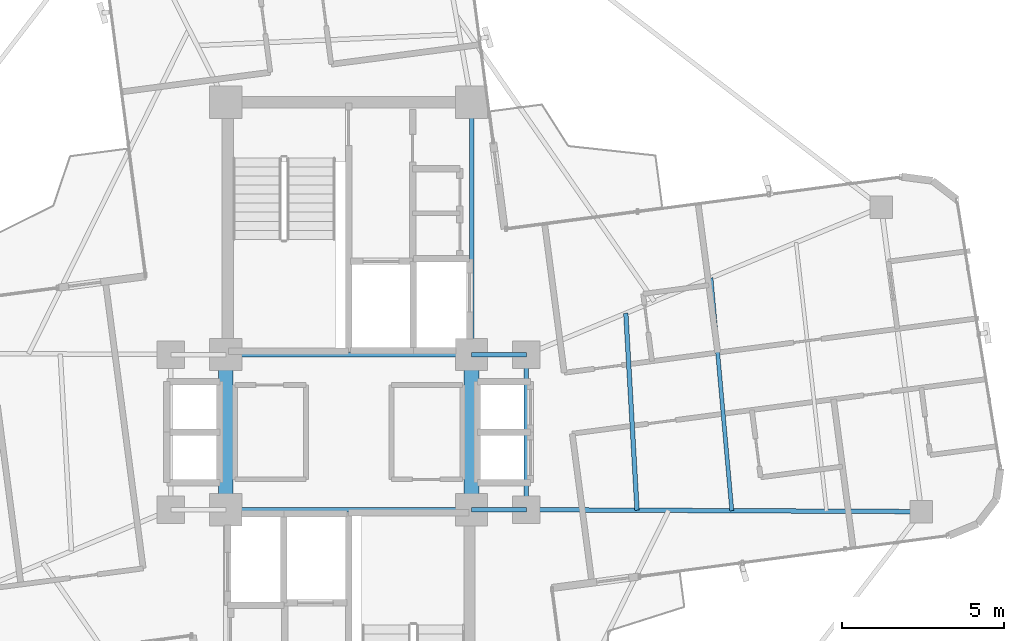
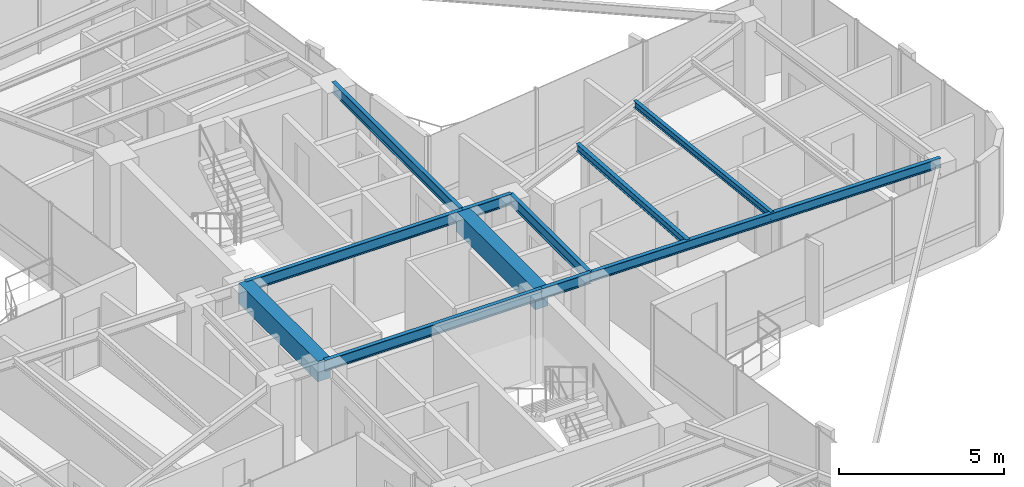
# One storey, part 10 of 22: 11 beams.
"""IFC4 building model written with IfcOpenShell, lengths in metres."""

from ifc_helpers import new_model, si_unit, direction, frame, origin, origin_2d, place, context, subcontext, project, spatial, rectangle, i_section, extrude, source, transform, mapped, material, material_profile, profile_set, type_object, element, save


model = new_model("IFC4")

# Units and contexts
model_context = context("Model", 3, precision=1e-05, world=origin(), true_north=direction((0.0, 1.0)))
body_context = subcontext(model_context, "Body", "Model", "MODEL_VIEW")
ifc_project = project(units=[si_unit("LENGTHUNIT", "METRE"), si_unit("AREAUNIT", "SQUARE_METRE"), si_unit("VOLUMEUNIT", "CUBIC_METRE"), si_unit("PLANEANGLEUNIT", "RADIAN"), si_unit("MASSUNIT", "GRAM", prefix="KILO")], contexts=[model_context])

# Site, building, storey
site_placement = place(None, origin())
site = spatial("IfcSite", under=ifc_project, at=site_placement, CompositionType="ELEMENT")
building_placement = place(site_placement, origin())
building = spatial("IfcBuilding", under=site, at=building_placement, Name="Sahyath Konkavel Grand Hotel", CompositionType="ELEMENT")
storey_placement = place(building_placement, frame((0.0, 0.0, 272.449951171875)))
storey = spatial("IfcBuildingStorey", under=building, at=storey_placement, Name="L76", CompositionType="ELEMENT", Elevation=272.449951171875)

# Beams
ifc_material_1 = material(Name="Steel E350", Category="steel")
ifc_material_profile_1 = material_profile(ifc_material_1, i_section(OverallWidth=0.139892578125, OverallDepth=0.39990234375, WebThickness=0.0087890625, FlangeThickness=0.01611328125, FilletRadius=0.013916015625, at=origin_2d()), Name="ISMB 400")
ifc_profile_set_1 = profile_set([ifc_material_profile_1], Name="Steel E350")
beam_type_1 = type_object("IfcBeamType", Name="BM-ISMB400", PredefinedType="BEAM", material=ifc_profile_set_1)
shared_shape_1 = source(origin(), body_context, "Body", "SweptSolid", [
    extrude(i_section(OverallWidth=0.139892578125, OverallDepth=0.39990234375, WebThickness=0.0087890625, FlangeThickness=0.01611328125, FilletRadius=0.013916015625, at=origin_2d()), origin(), (0.0, 0.0, 1.0), 7.60009765625),
])
for number, where, z_axis, x_axis, name in (
    (1, (-3.800048828125, 2.39990234375, 2.91015625), (1.0, 0.0, 0.0), (0.0, 1.0, 0.0), "str:bm:L76:NC-S"),
    (2, (-3.800048828125, -2.39990234375, 2.91015625), (1.0, 0.0, 0.0), (0.0, 1.0, 0.0), "str:bm:L76:SC-N"),
):
    element("IfcBeam", number, at=place(storey_placement, frame(where, z_axis=z_axis, x_axis=x_axis)), inside=storey, type_object=beam_type_1, Name=name, PredefinedType="BEAM", context=body_context, shape_type="MappedRepresentation", body=[
        mapped(shared_shape_1, transform((0.0, 0.0, 0.0), scale=1.0)),
    ])
shared_shape_2 = source(origin(), body_context, "Body", "SweptSolid", [
    extrude(i_section(OverallWidth=0.139892578125, OverallDepth=0.39990234375, WebThickness=0.0087890625, FlangeThickness=0.01611328125, FilletRadius=0.013916015625, at=origin_2d()), origin(), (0.0, 0.0, 1.0), 7.800048828125),
])
beam_1_placement = place(storey_placement, frame((3.800048828125, 2.39990234375, 2.91015625), z_axis=(0.0, 1.0, 0.0), x_axis=(-1.0, 0.0, 0.0)))
element("IfcBeam", 3, at=beam_1_placement, inside=storey, type_object=beam_type_1, Name="str:bm:L76:NC-E", PredefinedType="BEAM", context=body_context, shape_type="MappedRepresentation", body=[
    mapped(shared_shape_2, transform((0.0, 0.0, 0.0), scale=1.0)),
])
shared_shape_3 = source(origin(), body_context, "Body", "SweptSolid", [
    extrude(i_section(OverallWidth=0.139892578125, OverallDepth=0.39990234375, WebThickness=0.0087890625, FlangeThickness=0.01611328125, FilletRadius=0.013916015625, at=origin_2d()), origin(), (0.0, 0.0, 1.0), 1.699951171875),
])
for number, where, z_axis, x_axis, name in (
    (4, (3.800048828125, 2.39990234375, 2.91015625), (1.0, 0.0, 0.0), (0.0, 1.0, 0.0), "str:bm:L76:HB-NE"),
    (5, (3.800048828125, -2.39990234375, 2.91015625), (1.0, 0.0, 0.0), (0.0, 1.0, 0.0), "str:bm:L76:HB-SE"),
):
    element("IfcBeam", number, at=place(storey_placement, frame(where, z_axis=z_axis, x_axis=x_axis)), inside=storey, type_object=beam_type_1, Name=name, PredefinedType="BEAM", context=body_context, shape_type="MappedRepresentation", body=[
        mapped(shared_shape_3, transform((0.0, 0.0, 0.0), scale=1.0)),
    ])
shared_shape_4 = source(origin(), body_context, "Body", "SweptSolid", [
    extrude(i_section(OverallWidth=0.139892578125, OverallDepth=0.39990234375, WebThickness=0.0087890625, FlangeThickness=0.01611328125, FilletRadius=0.013916015625, at=origin_2d()), origin(), (0.0, 0.0, 1.0), 4.7998046875),
])
beam_2_placement = place(storey_placement, frame((5.5, -2.39990234375, 2.91015625), z_axis=(0.0, 1.0, 0.0), x_axis=(-1.0, 0.0, 0.0)))
element("IfcBeam", 6, at=beam_2_placement, inside=storey, type_object=beam_type_1, Name="str:bm:L76:HB-E", PredefinedType="BEAM", context=body_context, shape_type="MappedRepresentation", body=[
    mapped(shared_shape_4, transform((0.0, 0.0, 0.0), scale=1.0)),
])
ifc_material_2 = material(Name="Concrete C40/50", Category="concrete")
ifc_material_profile_2 = material_profile(ifc_material_2, rectangle(XDim=0.449951171875, YDim=0.75, at=origin_2d()), Name="RC 450x750")
ifc_profile_set_2 = profile_set([ifc_material_profile_2], Name="Concrete C40/50")
beam_type_2 = type_object("IfcBeamType", Name="BM-CB450x750", PredefinedType="LINTEL", material=ifc_profile_set_2)
shared_shape_5 = source(origin(), body_context, "Body", "SweptSolid", [
    extrude(rectangle(XDim=0.449951171875, YDim=0.75, at=origin_2d()), origin(), (0.0, 0.0, 1.0), 4.7998046875),
])
for number, where, z_axis, x_axis, name in (
    (7, (-3.800048828125, -2.39990234375, 2.735107421875), (0.0, 1.0, 0.0), (-1.0, 0.0, 0.0), "L76 Split-Core Coupling Beam West"),
    (8, (3.800048828125, -2.39990234375, 2.735107421875), (0.0, 1.0, 0.0), (-1.0, 0.0, 0.0), "L76 Split-Core Coupling Beam East"),
):
    element("IfcBeam", number, at=place(storey_placement, frame(where, z_axis=z_axis, x_axis=x_axis)), inside=storey, type_object=beam_type_2, Name=name, PredefinedType="LINTEL", context=body_context, shape_type="MappedRepresentation", body=[
        mapped(shared_shape_5, transform((0.0, 0.0, 0.0), scale=1.0)),
    ])
ifc_material_profile_3 = material_profile(ifc_material_1, i_section(OverallWidth=0.139892578125, OverallDepth=0.35009765625, WebThickness=0.008056640625, FlangeThickness=0.01416015625, FilletRadius=0.013916015625, at=origin_2d()), Name="ISMB 350")
ifc_profile_set_3 = profile_set([ifc_material_profile_3], Name="Steel E350")
beam_type_3 = type_object("IfcBeamType", Name="BM-ISMB350", PredefinedType="BEAM", material=ifc_profile_set_3)
shared_shape_6 = source(origin(), body_context, "Body", "SweptSolid", [
    extrude(i_section(OverallWidth=0.139892578125, OverallDepth=0.35009765625, WebThickness=0.008056640625, FlangeThickness=0.01416015625, FilletRadius=0.013916015625, at=origin_2d()), origin(), (0.0, 0.0, 1.0), 12.212646484375),
])
beam_3_placement = place(storey_placement, frame((5.5, -2.39990234375, 2.93505859375), z_axis=(0.999988297706, -0.004837814722, 0.0), x_axis=(0.004837814722, 0.999988297706, 0.0)))
element("IfcBeam", 9, at=beam_3_placement, inside=storey, type_object=beam_type_3, Name="L76 Cruciform Radial Girder EA", PredefinedType="BEAM", context=body_context, shape_type="MappedRepresentation", body=[
    mapped(shared_shape_6, transform((0.0, 0.0, 0.0), scale=1.0)),
])
ifc_material_profile_4 = material_profile(ifc_material_1, i_section(OverallWidth=0.139892578125, OverallDepth=0.27490234375, WebThickness=0.00634765625, FlangeThickness=0.0087890625, FilletRadius=0.012939453125, at=origin_2d()), Name="ISLB 275")
ifc_profile_set_4 = profile_set([ifc_material_profile_4], Name="Steel E350")
beam_type_4 = type_object("IfcBeamType", Name="BM-ISLB275", PredefinedType="BEAM", material=ifc_profile_set_4)
shared_shape_7 = source(origin(), body_context, "Body", "SweptSolid", [
    extrude(i_section(OverallWidth=0.139892578125, OverallDepth=0.27490234375, WebThickness=0.00634765625, FlangeThickness=0.0087890625, FilletRadius=0.012939453125, at=origin_2d()), origin(), (0.0, 0.0, 1.0), 6.10302734375),
])
beam_4_placement = place(storey_placement, frame((8.91943359375, -2.41650390625, 2.97265625), z_axis=(-0.056883465537, 0.99838082481, 0.0), x_axis=(-0.99838082481, -0.056883465537, 0.0)))
element("IfcBeam", 10, at=beam_4_placement, inside=storey, type_object=beam_type_4, Name="L76 Secondary Floor Beam E-1", PredefinedType="BEAM", context=body_context, shape_type="MappedRepresentation", body=[
    mapped(shared_shape_7, transform((0.0, 0.0, 0.0), scale=1.0)),
])
ifc_material_profile_5 = material_profile(ifc_material_1, i_section(OverallWidth=0.125, OverallDepth=0.25, WebThickness=0.0068359375, FlangeThickness=0.012451171875, FilletRadius=0.012939453125, at=origin_2d()), Name="ISMB 250")
ifc_profile_set_5 = profile_set([ifc_material_profile_5], Name="Steel E350")
beam_type_5 = type_object("IfcBeamType", Name="BM-ISMB250", PredefinedType="BEAM", material=ifc_profile_set_5)
shared_shape_8 = source(origin(), body_context, "Body", "SweptSolid", [
    extrude(i_section(OverallWidth=0.125, OverallDepth=0.25, WebThickness=0.0068359375, FlangeThickness=0.012451171875, FilletRadius=0.012939453125, at=origin_2d()), origin(), (0.0, 0.0, 1.0), 7.23046875),
])
beam_5_placement = place(storey_placement, frame((11.8505859375, -2.4306640625, 2.985107421875), z_axis=(-0.089174799421, 0.996015991412, 0.0), x_axis=(-0.996015991412, -0.089174799421, 0.0)))
element("IfcBeam", 11, at=beam_5_placement, inside=storey, type_object=beam_type_5, Name="L76 Secondary Floor Beam E-2", PredefinedType="BEAM", context=body_context, shape_type="MappedRepresentation", body=[
    mapped(shared_shape_8, transform((0.0, 0.0, 0.0), scale=1.0)),
])

save(model, "model.ifc")
